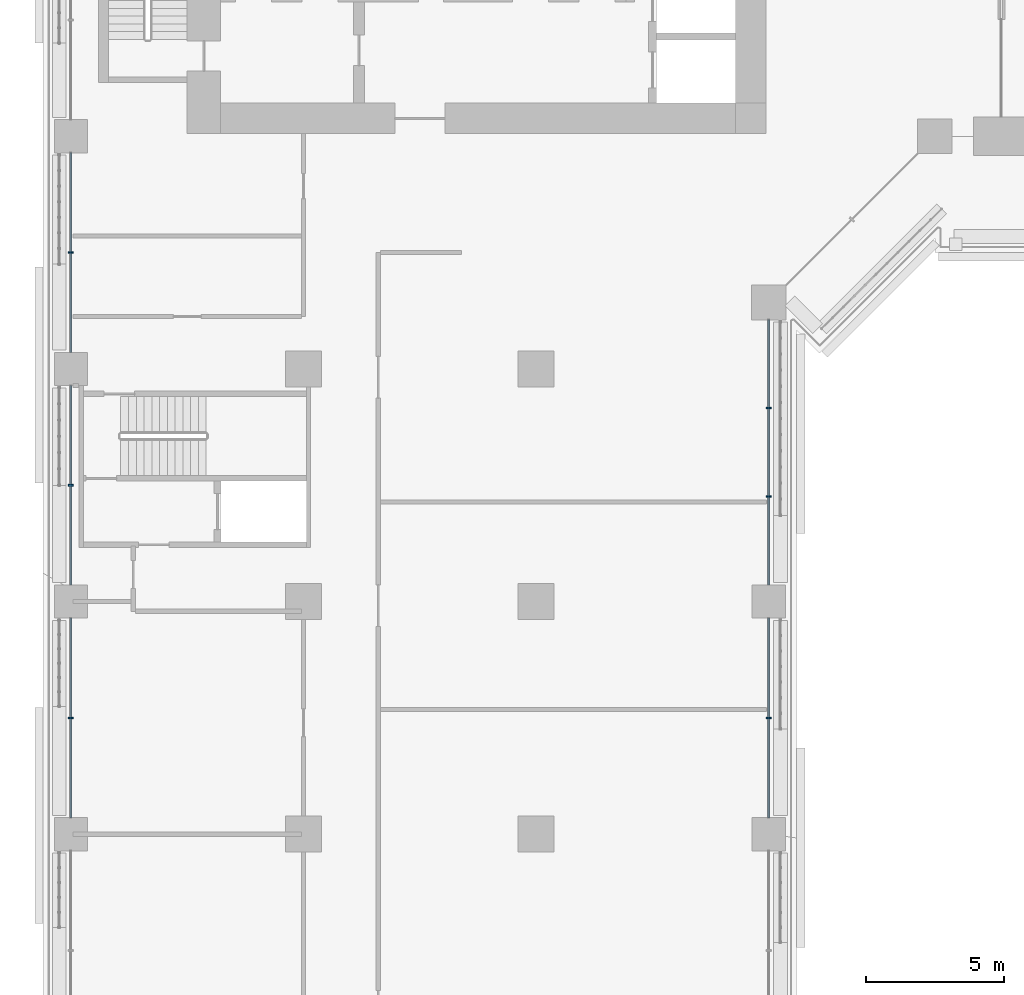
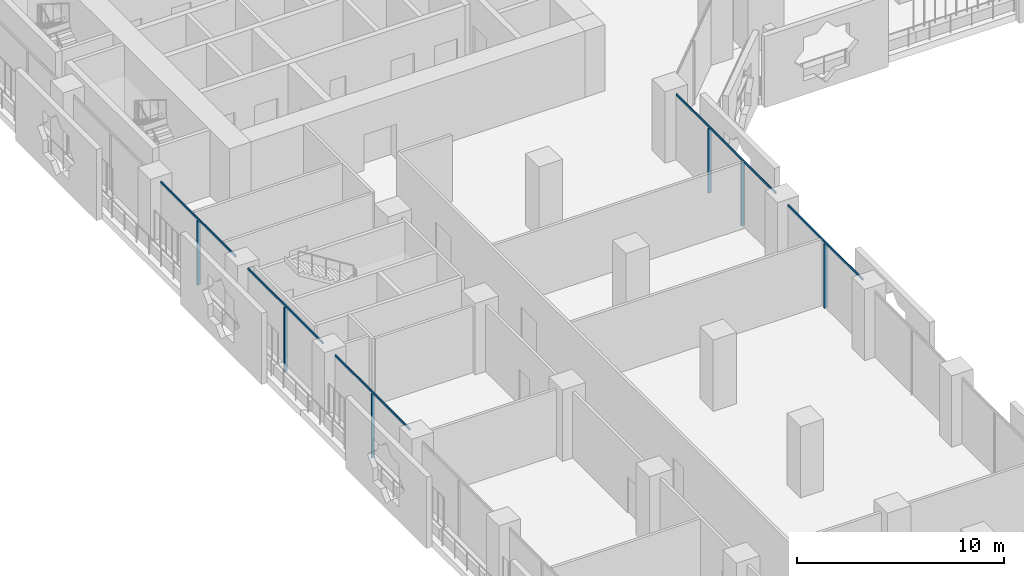
# One storey, part 3 of 27: 11 members, 2 elements without a shape of their own.
"""IFC4 building model written with IfcOpenShell, lengths in metres."""

from ifc_helpers import new_model, si_unit, direction, frame, origin, origin_2d, place, context, subcontext, project, spatial, rectangle, extrude, material, layer, layer_set, material_profile, profile_set, type_object, element, aggregate, save


model = new_model("IFC4")

# Units and contexts
model_context = context("Model", 3, precision=1e-05, world=origin(), true_north=direction((0.0, 1.0)))
body_context = subcontext(model_context, "Body", "Model", "MODEL_VIEW")
ifc_project = project(units=[si_unit("LENGTHUNIT", "METRE"), si_unit("AREAUNIT", "SQUARE_METRE"), si_unit("VOLUMEUNIT", "CUBIC_METRE"), si_unit("PLANEANGLEUNIT", "RADIAN"), si_unit("MASSUNIT", "GRAM", prefix="KILO")], contexts=[model_context])

# Site, building, storey
site_placement = place(None, origin())
site = spatial("IfcSite", under=ifc_project, at=site_placement, CompositionType="ELEMENT")
building_placement = place(site_placement, origin())
building = spatial("IfcBuilding", under=site, at=building_placement, Name="Kawkab Arch Medical Tower", CompositionType="ELEMENT")
storey_placement = place(building_placement, frame((0.0, 0.0, 39.199951171875)))
storey = spatial("IfcBuildingStorey", under=building, at=storey_placement, Name="L08", CompositionType="ELEMENT", Elevation=39.199951171875)

# Curtain wall, members
ifc_material_1 = material(Name="Bronze anodised aluminium curtain wall frame", Category="aluminium")
ifc_layer = layer(ifc_material_1, 0.159912109375)
ifc_layer_set = layer_set([ifc_layer], Name="Bronze anodised aluminium curtain wall frame")
curtain_wall_type = type_object("IfcCurtainWallType", Name="CW1 ward curtain wall", PredefinedType="NOTDEFINED", material=ifc_layer_set)
placement = place(storey_placement, origin())
curtain_wall_1 = element("IfcCurtainWall", 1, at=placement, inside=storey, type_object=curtain_wall_type, Name="CW1 Ward curtain wall R11", PredefinedType="NOTDEFINED")
ifc_material_2 = material(Name="Bronze anodised aluminium curtain wall frame", Category="aluminium")
ifc_material_profile_1 = material_profile(ifc_material_2, rectangle(XDim=0.179931640625, YDim=0.06005859375, at=origin_2d()), Name="AL 60x180")
ifc_profile_set_1 = profile_set([ifc_material_profile_1], Name="Bronze anodised aluminium curtain wall frame")
member_type_1 = type_object("IfcMemberType", Name="CW1 mullion 60 x 180", PredefinedType="MULLION", material=ifc_profile_set_1)
member_1_placement = place(storey_placement, frame((0.0, -29.39990234375, 0.0), z_axis=(0.0, 0.0, 1.0), x_axis=(1.0, 0.0, 0.0)))
member_1 = element("IfcMember", 2, at=member_1_placement, type_object=member_type_1, Name="CW1 mullion 3.1", PredefinedType="MULLION", context=body_context, shape_type="SweptSolid", body=[
    extrude(rectangle(XDim=0.179931640625, YDim=0.06005859375, at=origin_2d()), origin(), (0.0, 0.0, 1.0), 3.780029296875),
])
member_2_placement = place(storey_placement, frame((0.0, -37.800048828125, 0.0), z_axis=(0.0, 0.0, 1.0), x_axis=(1.0, 0.0, 0.0)))
member_2 = element("IfcMember", 3, at=member_2_placement, type_object=member_type_1, Name="CW1 mullion 4.1", PredefinedType="MULLION", context=body_context, shape_type="SweptSolid", body=[
    extrude(rectangle(XDim=0.179931640625, YDim=0.06005859375, at=origin_2d()), origin(), (0.0, 0.0, 1.0), 3.780029296875),
])
member_3_placement = place(storey_placement, frame((0.0, -46.199951171875, 0.0), z_axis=(0.0, 0.0, 1.0), x_axis=(1.0, 0.0, 0.0)))
member_3 = element("IfcMember", 4, at=member_3_placement, type_object=member_type_1, Name="CW1 mullion 5.1", PredefinedType="MULLION", context=body_context, shape_type="SweptSolid", body=[
    extrude(rectangle(XDim=0.179931640625, YDim=0.06005859375, at=origin_2d()), origin(), (0.0, 0.0, 1.0), 3.780029296875),
])

curtain_wall_2 = element("IfcCurtainWall", 5, at=placement, inside=storey, type_object=curtain_wall_type, Name="CW1 Ward curtain wall R15", PredefinedType="NOTDEFINED")
member_4_placement = place(storey_placement, frame((25.199951171875, -46.199951171875, 0.0), z_axis=(0.0, 0.0, 1.0), x_axis=(-1.0, 0.0, 0.0)))
member_4 = element("IfcMember", 6, at=member_4_placement, type_object=member_type_1, Name="CW1 mullion 3.1", PredefinedType="MULLION", context=body_context, shape_type="SweptSolid", body=[
    extrude(rectangle(XDim=0.179931640625, YDim=0.06005859375, at=origin_2d()), origin(), (0.0, 0.0, 1.0), 3.780029296875),
])
member_5_placement = place(storey_placement, frame((25.199951171875, -38.208251953125, 0.0), z_axis=(0.0, 0.0, 1.0), x_axis=(-1.0, 0.0, 0.0)))
member_5 = element("IfcMember", 7, at=member_5_placement, type_object=member_type_1, Name="CW1 mullion 4.1", PredefinedType="MULLION", context=body_context, shape_type="SweptSolid", body=[
    extrude(rectangle(XDim=0.179931640625, YDim=0.06005859375, at=origin_2d()), origin(), (0.0, 0.0, 1.0), 3.780029296875),
])
member_6_placement = place(storey_placement, frame((25.199951171875, -35.0166015625, 0.0), z_axis=(0.0, 0.0, 1.0), x_axis=(-1.0, 0.0, 0.0)))
member_6 = element("IfcMember", 8, at=member_6_placement, type_object=member_type_1, Name="CW1 mullion 4.2", PredefinedType="MULLION", context=body_context, shape_type="SweptSolid", body=[
    extrude(rectangle(XDim=0.179931640625, YDim=0.06005859375, at=origin_2d()), origin(), (0.0, 0.0, 1.0), 3.780029296875),
])

# Member
ifc_material_3 = material(Name="Bronze anodised aluminium curtain wall frame", Category="aluminium")
ifc_material_profile_2 = material_profile(ifc_material_3, rectangle(XDim=0.06005859375, YDim=0.1201171875, at=origin_2d()), Name="AL 60x120")
ifc_profile_set_2 = profile_set([ifc_material_profile_2], Name="Bronze anodised aluminium curtain wall frame")
member_type_2 = type_object("IfcMemberType", Name="CW1 transom 120 x 60", PredefinedType="USERDEFINED", material=ifc_profile_set_2)
member_7_placement = place(storey_placement, frame((0.0, -25.800048828125, 3.840087890625), z_axis=(0.0, -1.0, 0.0), x_axis=(1.0, 0.0, 0.0)))
member_7 = element("IfcMember", 9, at=member_7_placement, type_object=member_type_2, Name="CW1 transom 3", ObjectType="TRANSOM", PredefinedType="USERDEFINED", context=body_context, shape_type="SweptSolid", body=[
    extrude(rectangle(XDim=0.06005859375, YDim=0.1201171875, at=origin_2d()), origin(), (0.0, 0.0, 1.0), 7.199951171875),
])

member_8_placement = place(storey_placement, frame((0.0, -34.199951171875, 3.840087890625), z_axis=(0.0, -1.0, 0.0), x_axis=(1.0, 0.0, 0.0)))
member_8 = element("IfcMember", 10, at=member_8_placement, type_object=member_type_2, Name="CW1 transom 4", ObjectType="TRANSOM", PredefinedType="USERDEFINED", context=body_context, shape_type="SweptSolid", body=[
    extrude(rectangle(XDim=0.06005859375, YDim=0.1201171875, at=origin_2d()), origin(), (0.0, 0.0, 1.0), 7.199951171875),
])

member_9_placement = place(storey_placement, frame((0.0, -42.60009765625, 3.840087890625), z_axis=(0.0, -1.0, 0.0), x_axis=(1.0, 0.0, 0.0)))
member_9 = element("IfcMember", 11, at=member_9_placement, type_object=member_type_2, Name="CW1 transom 5", ObjectType="TRANSOM", PredefinedType="USERDEFINED", context=body_context, shape_type="SweptSolid", body=[
    extrude(rectangle(XDim=0.06005859375, YDim=0.1201171875, at=origin_2d()), origin(), (0.0, 0.0, 1.0), 7.199951171875),
])

aggregate(curtain_wall_1, [member_7, member_1, member_8, member_2, member_9, member_3])

member_10_placement = place(storey_placement, frame((25.199951171875, -49.800048828125, 3.840087890625), z_axis=(0.0, 1.0, 0.0), x_axis=(-1.0, 0.0, 0.0)))
member_10 = element("IfcMember", 12, at=member_10_placement, type_object=member_type_2, Name="CW1 transom 3", ObjectType="TRANSOM", PredefinedType="USERDEFINED", context=body_context, shape_type="SweptSolid", body=[
    extrude(rectangle(XDim=0.06005859375, YDim=0.1201171875, at=origin_2d()), origin(), (0.0, 0.0, 1.0), 7.199951171875),
])

member_11_placement = place(storey_placement, frame((25.199951171875, -41.39990234375, 3.840087890625), z_axis=(0.0, 1.0, 0.0), x_axis=(-1.0, 0.0, 0.0)))
member_11 = element("IfcMember", 13, at=member_11_placement, type_object=member_type_2, Name="CW1 transom 4", ObjectType="TRANSOM", PredefinedType="USERDEFINED", context=body_context, shape_type="SweptSolid", body=[
    extrude(rectangle(XDim=0.06005859375, YDim=0.1201171875, at=origin_2d()), origin(), (0.0, 0.0, 1.0), 9.574951171875),
])

aggregate(curtain_wall_2, [member_10, member_4, member_11, member_5, member_6])

save(model, "model.ifc")
